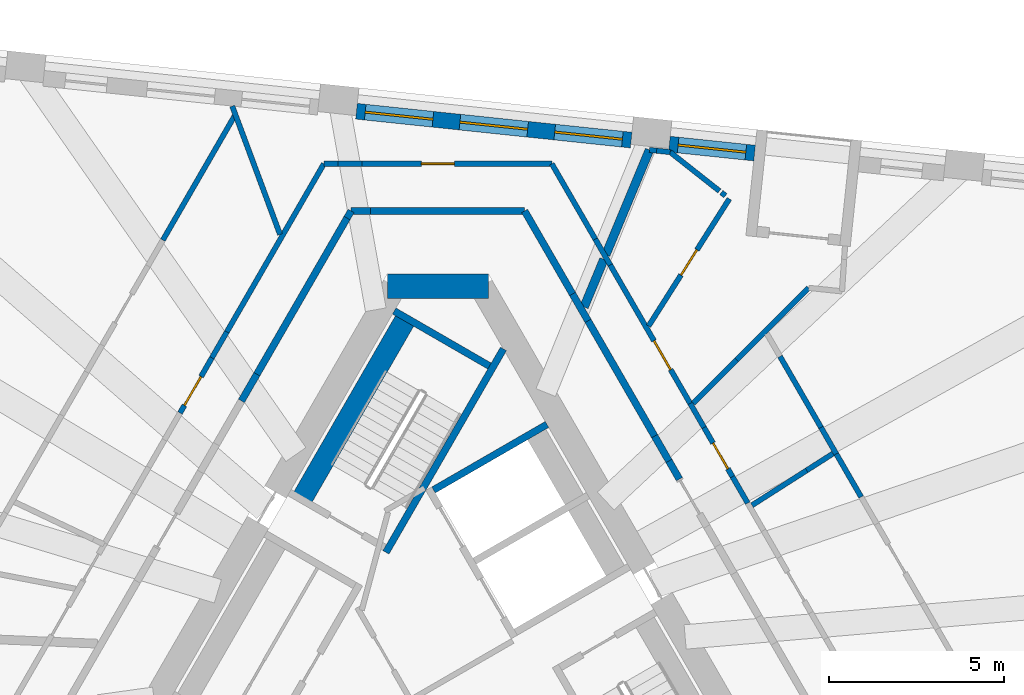
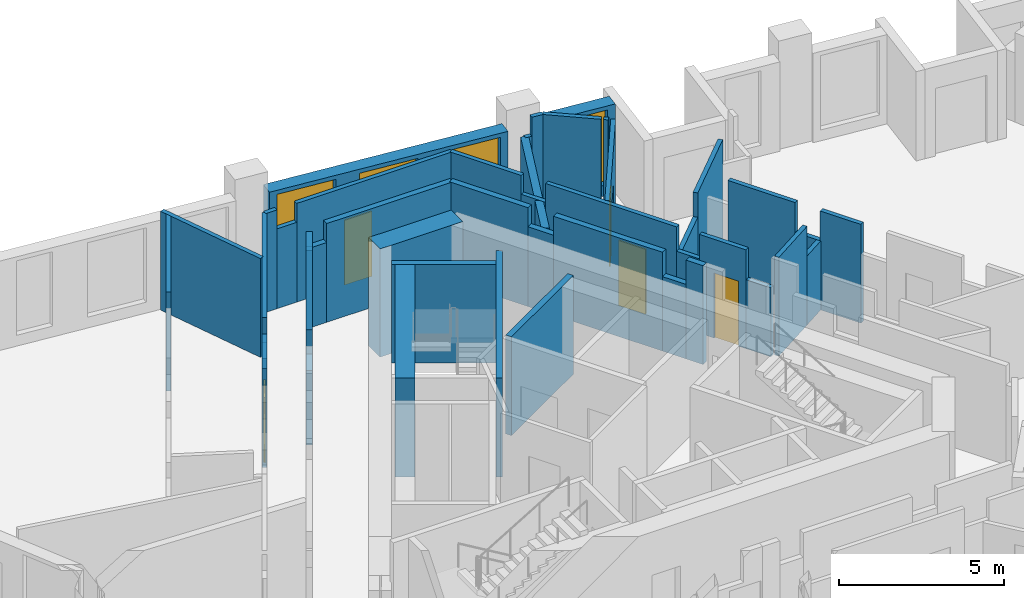
# One storey, part 7 of 11: 45 walls, 5 doors, 4 windows, 9 openings.
"""IFC4 building model written with IfcOpenShell, lengths in metres."""

from ifc_helpers import new_model, si_unit, direction, frame, frame_2d, origin, place, context, subcontext, project, spatial, rectangle, extrude, material, layer, layer_set, type_object, element, fill, save


model = new_model("IFC4")

# Units and contexts
model_context = context("Model", 3, precision=1e-05, world=origin(), true_north=direction((0.0, 1.0)))
body_context = subcontext(model_context, "Body", "Model", "MODEL_VIEW")
ifc_project = project(units=[si_unit("LENGTHUNIT", "METRE"), si_unit("AREAUNIT", "SQUARE_METRE"), si_unit("VOLUMEUNIT", "CUBIC_METRE"), si_unit("PLANEANGLEUNIT", "RADIAN"), si_unit("MASSUNIT", "GRAM", prefix="KILO")], contexts=[model_context])

# Site, building, storey
site_placement = place(None, origin())
site = spatial("IfcSite", under=ifc_project, at=site_placement, CompositionType="ELEMENT")
building_placement = place(site_placement, origin())
building = spatial("IfcBuilding", under=site, at=building_placement, Name="Tramontana Tower", CompositionType="ELEMENT")
storey_placement = place(building_placement, frame((0.0, 0.0, 265.199951171875)))
storey = spatial("IfcBuildingStorey", under=building, at=storey_placement, Name="L62", CompositionType="ELEMENT", Elevation=265.199951171875)

# Walls
ifc_material_1 = material(Name="Concrete 70 MPa", Category="concrete")
ifc_layer_1 = layer(ifc_material_1, 0.699951171875)
ifc_layer_set_1 = layer_set([ifc_layer_1], Name="Core wall 700 70 MPa")
wall_type_1 = type_object("IfcWallType", Name="Core wall 700 70 MPa", PredefinedType="SHEAR", material=ifc_layer_set_1)
wall_1_placement = place(storey_placement, frame((1.443359375, 10.64990234375, 0.0), z_axis=(0.0, 0.0, 1.0), x_axis=(-1.0, 0.0, 0.0)))
element("IfcWall", 1, at=wall_1_placement, inside=storey, type_object=wall_type_1, Name="Core wall C0 L62", PredefinedType="SHEAR", context=body_context, shape_type="SweptSolid", body=[
    extrude(rectangle(XDim=2.88671875, YDim=0.699951171875, at=frame_2d((1.443359375, 0.0))), origin(), (0.0, 0.0, 1.0), 4.0),
])
ifc_material_2 = material(Name="Blockwork", Category="masonry")
ifc_layer_2 = layer(ifc_material_2, 0.199951171875)
ifc_layer_set_2 = layer_set([ifc_layer_2], Name="ENTRY WALL 200")
wall_type_2 = type_object("IfcWallType", Name="ENTRY WALL 200", PredefinedType="SOLIDWALL", material=ifc_layer_set_2)
wall_2_placement = place(storey_placement, frame((-5.622314453125, 7.362060546875, 0.0), z_axis=(0.0, 0.0, 1.0), x_axis=(0.500121072013, 0.86595549154, 0.0)))
element("IfcWall", 2, at=wall_2_placement, inside=storey, type_object=wall_type_2, Name="Wall v62-ew3-9", PredefinedType="SOLIDWALL", context=body_context, shape_type="SweptSolid", body=[
    extrude(rectangle(XDim=0.883544921875, YDim=0.199951171875, at=frame_2d((0.44189453125, 0.0))), origin(), (0.0, 0.0, 1.0), 2.75),
])
wall_3_placement = place(storey_placement, frame((-5.180419921875, 8.127197265625, 0.0), z_axis=(0.0, 0.0, 1.0), x_axis=(0.499995433041, 0.866028040503, 0.0)))
element("IfcWall", 3, at=wall_3_placement, inside=storey, type_object=wall_type_2, Name="Wall v62-ew3-10", PredefinedType="SOLIDWALL", context=body_context, shape_type="SweptSolid", body=[
    extrude(rectangle(XDim=5.1611328125, YDim=0.199951171875, at=frame_2d((2.58056640625, 0.0))), origin(), (0.0, 0.0, 1.0), 3.650146484375),
])
wall_4_placement = place(storey_placement, frame((-2.599853515625, 12.596923828125, 0.0), z_axis=(0.0, 0.0, 1.0), x_axis=(0.49972245349, 0.866185586049, 0.0)))
element("IfcWall", 4, at=wall_4_placement, inside=storey, type_object=wall_type_2, Name="Wall v62-ew3-11", PredefinedType="SOLIDWALL", context=body_context, shape_type="SweptSolid", body=[
    extrude(rectangle(XDim=0.234619140625, YDim=0.199951171875, at=frame_2d((0.1171875, 0.0))), origin(), (0.0, 0.0, 1.0), 2.949951171875),
])
wall_5_placement = place(storey_placement, frame((-2.482666015625, 12.800048828125, 0.0), z_axis=(0.0, 0.0, 1.0), x_axis=(1.0, 0.0, 0.0)))
element("IfcWall", 5, at=wall_5_placement, inside=storey, type_object=wall_type_2, Name="Wall v62-ew4-0", PredefinedType="SOLIDWALL", context=body_context, shape_type="SweptSolid", body=[
    extrude(rectangle(XDim=0.5576171875, YDim=0.199951171875, at=frame_2d((0.27880859375, 0.0))), origin(), (0.0, 0.0, 1.0), 2.949951171875),
])
wall_6_placement = place(storey_placement, frame((-1.925048828125, 12.800048828125, 0.0), z_axis=(0.0, 0.0, 1.0), x_axis=(1.0, 0.0, 0.0)))
element("IfcWall", 6, at=wall_6_placement, inside=storey, type_object=wall_type_2, Name="Wall v62-ew4-1", PredefinedType="SOLIDWALL", context=body_context, shape_type="SweptSolid", body=[
    extrude(rectangle(XDim=4.40771484375, YDim=0.199951171875, at=frame_2d((2.203857421875, 0.0))), origin(), (0.0, 0.0, 1.0), 3.650146484375),
])
wall_7_placement = place(storey_placement, frame((2.482666015625, 12.800048828125, 0.0), z_axis=(0.0, 0.0, 1.0), x_axis=(0.499956000529, -0.8660508054, 0.0)))
element("IfcWall", 7, at=wall_7_placement, inside=storey, type_object=wall_type_2, Name="Wall v62-ew5-0", PredefinedType="SOLIDWALL", context=body_context, shape_type="SweptSolid", body=[
    extrude(rectangle(XDim=2.744873046875, YDim=0.199951171875, at=frame_2d((1.37255859375, 0.0))), origin(), (0.0, 0.0, 1.0), 3.650146484375),
])
wall_8_placement = place(storey_placement, frame((3.85498046875, 10.4228515625, 0.0), z_axis=(0.0, 0.0, 1.0), x_axis=(0.500135429527, -0.86594719939, 0.0)))
element("IfcWall", 8, at=wall_8_placement, inside=storey, type_object=wall_type_2, Name="Wall v62-ew5-1", PredefinedType="SOLIDWALL", context=body_context, shape_type="SweptSolid", body=[
    extrude(rectangle(XDim=0.886962890625, YDim=0.199951171875, at=frame_2d((0.443359375, 0.0))), origin(), (0.0, 0.0, 1.0), 2.949951171875),
])
wall_9_placement = place(storey_placement, frame((4.298583984375, 9.65478515625, 0.0), z_axis=(0.0, 0.0, 1.0), x_axis=(0.499997905474, -0.866026613056, 0.0)))
element("IfcWall", 9, at=wall_9_placement, inside=storey, type_object=wall_type_2, Name="Wall v62-ew5-2", PredefinedType="SOLIDWALL", context=body_context, shape_type="SweptSolid", body=[
    extrude(rectangle(XDim=3.810546875, YDim=0.199951171875, at=frame_2d((1.9052734375, 0.0))), origin(), (0.0, 0.0, 1.0), 3.650146484375),
])
wall_10_placement = place(storey_placement, frame((6.203857421875, 6.354736328125, 0.0), z_axis=(0.0, 0.0, 1.0), x_axis=(0.499911126926, -0.866076708598, 0.0)))
element("IfcWall", 10, at=wall_10_placement, inside=storey, type_object=wall_type_2, Name="Wall v62-ew5-3", PredefinedType="SOLIDWALL", context=body_context, shape_type="SweptSolid", body=[
    extrude(rectangle(XDim=0.821533203125, YDim=0.199951171875, at=frame_2d((0.41064453125, 0.0))), origin(), (0.0, 0.0, 1.0), 2.75),
])
wall_11_placement = place(storey_placement, frame((6.614501953125, 5.643310546875, 0.0), z_axis=(0.0, 0.0, 1.0), x_axis=(0.500169019818, -0.865927798153, 0.0)))
element("IfcWall", 11, at=wall_11_placement, inside=storey, type_object=wall_type_2, Name="Wall v62-ew5-4", PredefinedType="SOLIDWALL", context=body_context, shape_type="SweptSolid", body=[
    extrude(rectangle(XDim=0.599365234375, YDim=0.199951171875, at=frame_2d((0.2998046875, 0.0))), origin(), (0.0, 0.0, 1.0), 3.650146484375),
])

# Wall, opening, window
ifc_material_3 = material(Name="Precast concrete 60 MPa", Category="concrete")
ifc_layer_3 = layer(ifc_material_3, 0.449951171875)
ifc_layer_set_3 = layer_set([ifc_layer_3], Name="Precast concrete 60 MPa, 450 mm")
wall_type_3 = type_object("IfcWallType", Name="EW1 Stone-faced precast wall 450", PredefinedType="SOLIDWALL", material=ifc_layer_set_3)
wall_12_placement = place(storey_placement, frame((9.06640625, 14.45654296875, 0.0), z_axis=(0.0, 0.0, 1.0), x_axis=(-0.994521805438, 0.10452931889, 0.0)))
wall_12 = element("IfcWall", 12, at=wall_12_placement, inside=storey, type_object=wall_type_3, Name="External wall L62 face 2 bay 2", PredefinedType="SOLIDWALL", context=body_context, shape_type="SweptSolid", body=[
    extrude(rectangle(XDim=2.452392578125, YDim=0.449951171875, at=frame_2d((1.22607421875, 0.0))), origin(), (0.0, 0.0, 1.0), 3.300048828125),
])
opening_1_placement = place(wall_12_placement, frame((0.251220703125, 0.0, 0.39990234375)))
opening_1 = element("IfcOpeningElement", 13, at=opening_1_placement, cuts=wall_12, Name="Opening M3", PredefinedType="OPENING", context=body_context, shape_type="SweptSolid", body=[
    extrude(rectangle(XDim=1.949951171875, YDim=2.75, at=frame_2d((0.97509765625, 1.375))), frame((0.0, 0.23486328125, 0.0), z_axis=(0.0, -1.0, 0.0), x_axis=(1.0, 0.0, 0.0)), (0.0, 0.0, 1.0), 0.469970703125),
])
ifc_material_4 = material(Name="Aluminum frame, double glazing unit", Category="aluminium")
window_type = type_object("IfcWindowType", Name="M3 Window 1.95 x 2.75", PartitioningType="SINGLE_PANEL", PredefinedType="WINDOW", material=ifc_material_4)
window_1_placement = place(opening_1_placement, origin())
window_1 = element("IfcWindow", 14, at=window_1_placement, inside=storey, type_object=window_type, Name="Window M3 L62 face 2 module 6", OverallHeight=2.75, OverallWidth=1.949951171875, PartitioningType="SINGLE_PANEL", PredefinedType="WINDOW", context=body_context, shape_type="SweptSolid", body=[
    extrude(rectangle(XDim=1.949951171875, YDim=2.75, at=frame_2d((0.97509765625, 1.375))), frame((0.0, 0.030029296875, 0.0), z_axis=(0.0, -1.0, 0.0), x_axis=(1.0, 0.0, 0.0)), (0.0, 0.0, 1.0), 0.06005859375),
])
fill(opening_1, window_1)

# Wall, openings, windows
wall_13_placement = place(storey_placement, frame((5.53369140625, 14.827880859375, 0.0), z_axis=(0.0, 0.0, 1.0), x_axis=(-0.994522865711, 0.104519230663, 0.0)))
wall_13 = element("IfcWall", 15, at=wall_13_placement, inside=storey, type_object=wall_type_3, Name="External wall L62 face 2 bay 3", PredefinedType="SOLIDWALL", context=body_context, shape_type="SweptSolid", body=[
    extrude(rectangle(XDim=7.90673828125, YDim=0.449951171875, at=frame_2d((3.953369140625, 0.0))), origin(), (0.0, 0.0, 1.0), 3.300048828125),
])
opening_2_placement = place(wall_13_placement, frame((0.251220703125, 0.0, 0.39990234375)))
opening_2 = element("IfcOpeningElement", 16, at=opening_2_placement, cuts=wall_13, Name="Opening M3", PredefinedType="OPENING", context=body_context, shape_type="SweptSolid", body=[
    extrude(rectangle(XDim=1.949951171875, YDim=2.75, at=frame_2d((0.97509765625, 1.375))), frame((0.0, 0.23486328125, 0.0), z_axis=(0.0, -1.0, 0.0), x_axis=(1.0, 0.0, 0.0)), (0.0, 0.0, 1.0), 0.469970703125),
])
opening_3_placement = place(wall_13_placement, frame((2.978271484375, 0.0, 0.39990234375)))
opening_3 = element("IfcOpeningElement", 17, at=opening_3_placement, cuts=wall_13, Name="Opening M3", PredefinedType="OPENING", context=body_context, shape_type="SweptSolid", body=[
    extrude(rectangle(XDim=1.949951171875, YDim=2.75, at=frame_2d((0.97509765625, 1.375))), frame((0.0, 0.23486328125, 0.0), z_axis=(0.0, -1.0, 0.0), x_axis=(1.0, 0.0, 0.0)), (0.0, 0.0, 1.0), 0.469970703125),
])
opening_4_placement = place(wall_13_placement, frame((5.70556640625, 0.0, 0.39990234375)))
opening_4 = element("IfcOpeningElement", 18, at=opening_4_placement, cuts=wall_13, Name="Opening M3", PredefinedType="OPENING", context=body_context, shape_type="SweptSolid", body=[
    extrude(rectangle(XDim=1.949951171875, YDim=2.75, at=frame_2d((0.97509765625, 1.375))), frame((0.0, 0.23486328125, 0.0), z_axis=(0.0, -1.0, 0.0), x_axis=(1.0, 0.0, 0.0)), (0.0, 0.0, 1.0), 0.469970703125),
])
window_2_placement = place(opening_2_placement, origin())
window_2 = element("IfcWindow", 19, at=window_2_placement, inside=storey, type_object=window_type, Name="Window M3 L62 face 2 module 7", OverallHeight=2.75, OverallWidth=1.949951171875, PartitioningType="SINGLE_PANEL", PredefinedType="WINDOW", context=body_context, shape_type="SweptSolid", body=[
    extrude(rectangle(XDim=1.949951171875, YDim=2.75, at=frame_2d((0.97509765625, 1.375))), frame((0.0, 0.030029296875, 0.0), z_axis=(0.0, -1.0, 0.0), x_axis=(1.0, 0.0, 0.0)), (0.0, 0.0, 1.0), 0.06005859375),
])
fill(opening_2, window_2)
window_3_placement = place(opening_3_placement, origin())
window_3 = element("IfcWindow", 20, at=window_3_placement, inside=storey, type_object=window_type, Name="Window M3 L62 face 2 module 8", OverallHeight=2.75, OverallWidth=1.949951171875, PartitioningType="SINGLE_PANEL", PredefinedType="WINDOW", context=body_context, shape_type="SweptSolid", body=[
    extrude(rectangle(XDim=1.949951171875, YDim=2.75, at=frame_2d((0.97509765625, 1.375))), frame((0.0, 0.030029296875, 0.0), z_axis=(0.0, -1.0, 0.0), x_axis=(1.0, 0.0, 0.0)), (0.0, 0.0, 1.0), 0.06005859375),
])
fill(opening_3, window_3)
window_4_placement = place(opening_4_placement, origin())
window_4 = element("IfcWindow", 21, at=window_4_placement, inside=storey, type_object=window_type, Name="Window M3 L62 face 2 module 9", OverallHeight=2.75, OverallWidth=1.949951171875, PartitioningType="SINGLE_PANEL", PredefinedType="WINDOW", context=body_context, shape_type="SweptSolid", body=[
    extrude(rectangle(XDim=1.949951171875, YDim=2.75, at=frame_2d((0.97509765625, 1.375))), frame((0.0, 0.030029296875, 0.0), z_axis=(0.0, -1.0, 0.0), x_axis=(1.0, 0.0, 0.0)), (0.0, 0.0, 1.0), 0.06005859375),
])
fill(opening_4, window_4)

# Wall, opening, door
ifc_material_5 = material(Name="Gypsum board partition")
ifc_layer_4 = layer(ifc_material_5, 0.14990234375)
ifc_layer_set_4 = layer_set([ifc_layer_4], Name="PARTITION 150")
wall_type_4 = type_object("IfcWallType", Name="PARTITION 150", PredefinedType="PARTITIONING", material=ifc_layer_set_4)
wall_14_placement = place(storey_placement, frame((-7.380126953125, 7.017333984375, 0.0), z_axis=(0.0, 0.0, 1.0), x_axis=(0.500012159746, 0.866018383238, 0.0)))
wall_14 = element("IfcWall", 22, at=wall_14_placement, inside=storey, type_object=wall_type_4, Name="Wall v62-pw00-8", PredefinedType="PARTITIONING", context=body_context, shape_type="SweptSolid", body=[
    extrude(rectangle(XDim=1.82373046875, YDim=0.14990234375, at=frame_2d((0.911865234375, 0.0))), origin(), (0.0, 0.0, 1.0), 3.650146484375),
])
opening_5_placement = place(wall_14_placement, frame((0.25, 0.0, 0.0)))
opening_5 = element("IfcOpeningElement", 23, at=opening_5_placement, cuts=wall_14, Name="Opening B6C-01", PredefinedType="OPENING", context=body_context, shape_type="SweptSolid", body=[
    extrude(rectangle(XDim=0.949951171875, YDim=2.39990234375, at=frame_2d((0.47509765625, 1.199951171875))), frame((0.0, 0.0849609375, 0.0), z_axis=(0.0, -1.0, 0.0), x_axis=(1.0, 0.0, 0.0)), (0.0, 0.0, 1.0), 0.169921875),
])
ifc_material_6 = material(Name="Painted timber", Category="wood")
door_type_1 = type_object("IfcDoorType", Name="DOOR ROOM 950", OperationType="SINGLE_SWING_LEFT", PredefinedType="DOOR", material=ifc_material_6)
door_1_placement = place(opening_5_placement, origin())
door_1 = element("IfcDoor", 24, at=door_1_placement, inside=storey, type_object=door_type_1, Name="Door B6C-01", OperationType="SINGLE_SWING_LEFT", OverallHeight=2.39990234375, OverallWidth=0.949951171875, PredefinedType="DOOR", context=body_context, shape_type="SweptSolid", body=[
    extrude(rectangle(XDim=0.949951171875, YDim=2.39990234375, at=frame_2d((0.47509765625, 1.199951171875))), frame((0.0, 0.02490234375, 0.0), z_axis=(0.0, -1.0, 0.0), x_axis=(1.0, 0.0, 0.0)), (0.0, 0.0, 1.0), 0.050048828125),
])
fill(opening_5, door_1)

# Walls
wall_15_placement = place(storey_placement, frame((-6.46826171875, 8.5966796875, 0.0), z_axis=(0.0, 0.0, 1.0), x_axis=(0.500035209441, 0.86600507465, 0.0)))
element("IfcWall", 25, at=wall_15_placement, inside=storey, type_object=wall_type_4, Name="Wall v62-pw00-9", PredefinedType="PARTITIONING", context=body_context, shape_type="SweptSolid", body=[
    extrude(rectangle(XDim=0.85595703125, YDim=0.14990234375, at=frame_2d((0.427978515625, 0.0))), origin(), (0.0, 0.0, 1.0), 2.75),
])
wall_16_placement = place(storey_placement, frame((-6.040283203125, 9.337890625, 0.0), z_axis=(0.0, 0.0, 1.0), x_axis=(0.500014044516, 0.866017295027, 0.0)))
element("IfcWall", 26, at=wall_16_placement, inside=storey, type_object=wall_type_4, Name="Wall v62-pw00-10", PredefinedType="PARTITIONING", context=body_context, shape_type="SweptSolid", body=[
    extrude(rectangle(XDim=5.556396484375, YDim=0.14990234375, at=frame_2d((2.7783203125, 0.0))), origin(), (0.0, 0.0, 1.0), 3.650146484375),
])
wall_17_placement = place(storey_placement, frame((-7.872314453125, 11.96484375, 0.0), z_axis=(0.0, 0.0, 1.0), x_axis=(0.500012835235, 0.866017993231, 0.0)))
element("IfcWall", 27, at=wall_17_placement, inside=storey, type_object=wall_type_4, Name="Wall v62-pw01-8", PredefinedType="PARTITIONING", context=body_context, shape_type="SweptSolid", body=[
    extrude(rectangle(XDim=4.1484375, YDim=0.14990234375, at=frame_2d((2.07421875, 0.0))), origin(), (0.0, 0.0, 1.0), 3.650146484375),
])
wall_18_placement = place(storey_placement, frame((-5.885986328125, 15.8017578125, 0.0), z_axis=(0.0, 0.0, 1.0), x_axis=(0.349035066204, -0.937109664105, 0.0)))
element("IfcWall", 28, at=wall_18_placement, inside=storey, type_object=wall_type_4, Name="Wall v62-pw09", PredefinedType="PARTITIONING", context=body_context, shape_type="SweptSolid", body=[
    extrude(rectangle(XDim=3.921875, YDim=0.14990234375, at=frame_2d((1.9609375, 0.0))), origin(), (0.0, 0.0, 1.0), 3.650146484375),
])
wall_19_placement = place(storey_placement, frame((-3.261962890625, 14.14990234375, 0.0), z_axis=(0.0, 0.0, 1.0), x_axis=(1.0, 0.0, 0.0)))
element("IfcWall", 29, at=wall_19_placement, inside=storey, type_object=wall_type_4, Name="Wall v62-pw10-0", PredefinedType="PARTITIONING", context=body_context, shape_type="SweptSolid", body=[
    extrude(rectangle(XDim=0.398193359375, YDim=0.14990234375, at=frame_2d((0.19921875, 0.0))), origin(), (0.0, 0.0, 1.0), 3.650146484375),
])
wall_20_placement = place(storey_placement, frame((-2.86376953125, 14.14990234375, 0.0), z_axis=(0.0, 0.0, 1.0), x_axis=(1.0, 0.0, 0.0)))
element("IfcWall", 30, at=wall_20_placement, inside=storey, type_object=wall_type_4, Name="Wall v62-pw10-1", PredefinedType="PARTITIONING", context=body_context, shape_type="SweptSolid", body=[
    extrude(rectangle(XDim=0.685546875, YDim=0.14990234375, at=frame_2d((0.3427734375, 0.0))), origin(), (0.0, 0.0, 1.0), 2.949951171875),
])

# Wall, opening, door
wall_21_placement = place(storey_placement, frame((3.261962890625, 14.14990234375, 0.0), z_axis=(0.0, 0.0, 1.0), x_axis=(-1.0, 0.0, 0.0)))
wall_21 = element("IfcWall", 31, at=wall_21_placement, inside=storey, type_object=wall_type_4, Name="Wall v62-pw10-2", PredefinedType="PARTITIONING", context=body_context, shape_type="SweptSolid", body=[
    extrude(rectangle(XDim=5.440185546875, YDim=0.14990234375, at=frame_2d((2.72021484375, 0.0))), origin(), (0.0, 0.0, 1.0), 3.650146484375),
])
opening_6_placement = place(wall_21_placement, frame((2.787109375, 0.0, 0.0)))
opening_6 = element("IfcOpeningElement", 32, at=opening_6_placement, cuts=wall_21, Name="Opening B6C-03", PredefinedType="OPENING", context=body_context, shape_type="SweptSolid", body=[
    extrude(rectangle(XDim=0.949951171875, YDim=2.39990234375, at=frame_2d((0.47509765625, 1.199951171875))), frame((0.0, 0.0849609375, 0.0), z_axis=(0.0, -1.0, 0.0), x_axis=(1.0, 0.0, 0.0)), (0.0, 0.0, 1.0), 0.169921875),
])
door_2_placement = place(opening_6_placement, origin())
door_2 = element("IfcDoor", 33, at=door_2_placement, inside=storey, type_object=door_type_1, Name="Door B6C-03", OperationType="SINGLE_SWING_LEFT", OverallHeight=2.39990234375, OverallWidth=0.949951171875, PredefinedType="DOOR", context=body_context, shape_type="SweptSolid", body=[
    extrude(rectangle(XDim=0.949951171875, YDim=2.39990234375, at=frame_2d((0.47509765625, 1.199951171875))), frame((0.0, 0.02490234375, 0.0), z_axis=(0.0, -1.0, 0.0), x_axis=(1.0, 0.0, 0.0)), (0.0, 0.0, 1.0), 0.050048828125),
])
fill(opening_6, door_2)

# Walls
wall_22_placement = place(storey_placement, frame((3.261962890625, 14.14990234375, 0.0), z_axis=(0.0, 0.0, 1.0), x_axis=(0.500042260233, -0.866001003452, 0.0)))
element("IfcWall", 34, at=wall_22_placement, inside=storey, type_object=wall_type_4, Name="Wall v62-pw15-0", PredefinedType="PARTITIONING", context=body_context, shape_type="SweptSolid", body=[
    extrude(rectangle(XDim=2.489013671875, YDim=0.14990234375, at=frame_2d((1.24462890625, 0.0))), origin(), (0.0, 0.0, 1.0), 3.650146484375),
])
wall_23_placement = place(storey_placement, frame((4.506591796875, 11.994384765625, 0.0), z_axis=(0.0, 0.0, 1.0), x_axis=(0.499944768143, -0.866057289563, 0.0)))
element("IfcWall", 35, at=wall_23_placement, inside=storey, type_object=wall_type_4, Name="Wall v62-pw15-1", PredefinedType="PARTITIONING", context=body_context, shape_type="SweptSolid", body=[
    extrude(rectangle(XDim=0.85546875, YDim=0.14990234375, at=frame_2d((0.427734375, 0.0))), origin(), (0.0, 0.0, 1.0), 2.949951171875),
])

# Wall, opening, door
wall_24_placement = place(storey_placement, frame((4.934326171875, 11.25341796875, 0.0), z_axis=(0.0, 0.0, 1.0), x_axis=(0.500001111708, -0.866024761939, 0.0)))
wall_24 = element("IfcWall", 36, at=wall_24_placement, inside=storey, type_object=wall_type_4, Name="Wall v62-pw15-2", PredefinedType="PARTITIONING", context=body_context, shape_type="SweptSolid", body=[
    extrude(rectangle(XDim=4.57568359375, YDim=0.14990234375, at=frame_2d((2.287841796875, 0.0))), origin(), (0.0, 0.0, 1.0), 3.650146484375),
])
opening_7_placement = place(wall_24_placement, frame((2.507080078125, 0.0, 0.0)))
opening_7 = element("IfcOpeningElement", 37, at=opening_7_placement, cuts=wall_24, Name="Opening B6C-14", PredefinedType="OPENING", context=body_context, shape_type="SweptSolid", body=[
    extrude(rectangle(XDim=0.949951171875, YDim=2.39990234375, at=frame_2d((0.47509765625, 1.199951171875))), frame((0.0, 0.0849609375, 0.0), z_axis=(0.0, -1.0, 0.0), x_axis=(1.0, 0.0, 0.0)), (0.0, 0.0, 1.0), 0.169921875),
])
door_3_placement = place(opening_7_placement, origin())
door_3 = element("IfcDoor", 38, at=door_3_placement, inside=storey, type_object=door_type_1, Name="Door B6C-14", OperationType="SINGLE_SWING_RIGHT", OverallHeight=2.39990234375, OverallWidth=0.949951171875, PredefinedType="DOOR", context=body_context, shape_type="SweptSolid", body=[
    extrude(rectangle(XDim=0.949951171875, YDim=2.39990234375, at=frame_2d((0.47509765625, 1.199951171875))), frame((0.0, 0.02490234375, 0.0), z_axis=(0.0, -1.0, 0.0), x_axis=(1.0, 0.0, 0.0)), (0.0, 0.0, 1.0), 0.050048828125),
])
fill(opening_7, door_3)

# Wall
wall_25_placement = place(storey_placement, frame((7.22216796875, 7.290771484375, 0.0), z_axis=(0.0, 0.0, 1.0), x_axis=(0.500032254052, -0.866006781098, 0.0)))
element("IfcWall", 39, at=wall_25_placement, inside=storey, type_object=wall_type_4, Name="Wall v62-pw15-3", PredefinedType="PARTITIONING", context=body_context, shape_type="SweptSolid", body=[
    extrude(rectangle(XDim=0.7958984375, YDim=0.14990234375, at=frame_2d((0.39794921875, 0.0))), origin(), (0.0, 0.0, 1.0), 2.75),
])

# Wall, opening, door
wall_26_placement = place(storey_placement, frame((7.6201171875, 6.6015625, 0.0), z_axis=(0.0, 0.0, 1.0), x_axis=(0.499982393232, -0.866035568818, 0.0)))
wall_26 = element("IfcWall", 40, at=wall_26_placement, inside=storey, type_object=wall_type_4, Name="Wall v62-pw15-4", PredefinedType="PARTITIONING", context=body_context, shape_type="SweptSolid", body=[
    extrude(rectangle(XDim=1.6259765625, YDim=0.14990234375, at=frame_2d((0.81298828125, 0.0))), origin(), (0.0, 0.0, 1.0), 3.650146484375),
])
opening_8_placement = place(wall_26_placement, frame((0.5146484375, 0.0, 0.0)))
opening_8 = element("IfcOpeningElement", 41, at=opening_8_placement, cuts=wall_26, Name="Opening B6C-12", PredefinedType="OPENING", context=body_context, shape_type="SweptSolid", body=[
    extrude(rectangle(XDim=0.85009765625, YDim=2.39990234375, at=frame_2d((0.425048828125, 1.199951171875))), frame((0.0, 0.0849609375, 0.0), z_axis=(0.0, -1.0, 0.0), x_axis=(1.0, 0.0, 0.0)), (0.0, 0.0, 1.0), 0.169921875),
])
ifc_material_7 = material(Name="Painted timber", Category="wood")
door_type_2 = type_object("IfcDoorType", Name="DOOR BATH 850", OperationType="SINGLE_SWING_LEFT", PredefinedType="DOOR", material=ifc_material_7)
door_4_placement = place(opening_8_placement, origin())
door_4 = element("IfcDoor", 42, at=door_4_placement, inside=storey, type_object=door_type_2, Name="Door B6C-12", OperationType="SINGLE_SWING_RIGHT", OverallHeight=2.39990234375, OverallWidth=0.85009765625, PredefinedType="DOOR", context=body_context, shape_type="SweptSolid", body=[
    extrude(rectangle(XDim=0.85009765625, YDim=2.39990234375, at=frame_2d((0.425048828125, 1.199951171875))), frame((0.0, 0.02490234375, 0.0), z_axis=(0.0, -1.0, 0.0), x_axis=(1.0, 0.0, 0.0)), (0.0, 0.0, 1.0), 0.050048828125),
])
fill(opening_8, door_4)

# Walls
wall_27_placement = place(storey_placement, frame((8.43310546875, 5.193359375, 0.0), z_axis=(0.0, 0.0, 1.0), x_axis=(0.499980071345, -0.866036909293, 0.0)))
element("IfcWall", 43, at=wall_27_placement, inside=storey, type_object=wall_type_4, Name="Wall v62-pw15-5", PredefinedType="PARTITIONING", context=body_context, shape_type="SweptSolid", body=[
    extrude(rectangle(XDim=0.875, YDim=0.14990234375, at=frame_2d((0.4375, 0.0))), origin(), (0.0, 0.0, 1.0), 2.550048828125),
])
wall_28_placement = place(storey_placement, frame((6.650146484375, 14.48388671875, 0.0), z_axis=(0.0, 0.0, 1.0), x_axis=(0.785056780216, -0.61942380632, 0.0)))
element("IfcWall", 44, at=wall_28_placement, inside=storey, type_object=wall_type_4, Name="Wall v62-pw22", PredefinedType="PARTITIONING", context=body_context, shape_type="SweptSolid", body=[
    extrude(rectangle(XDim=1.79541015625, YDim=0.14990234375, at=frame_2d((0.897705078125, 0.0))), origin(), (0.0, 0.0, 1.0), 3.650146484375),
])
wall_29_placement = place(storey_placement, frame((7.3076171875, 7.293212890625, 0.0), z_axis=(0.0, 0.0, 1.0), x_axis=(0.70779886915, 0.706414015171, 0.0)))
element("IfcWall", 45, at=wall_29_placement, inside=storey, type_object=wall_type_4, Name="Wall v62-pw23-0", PredefinedType="PARTITIONING", context=body_context, shape_type="SweptSolid", body=[
    extrude(rectangle(XDim=1.762939453125, YDim=0.14990234375, at=frame_2d((0.88134765625, 0.0))), origin(), (0.0, 0.0, 1.0), 2.75),
])
wall_30_placement = place(storey_placement, frame((8.555419921875, 8.53857421875, 0.0), z_axis=(0.0, 0.0, 1.0), x_axis=(0.707776468702, 0.706436458821, 0.0)))
element("IfcWall", 46, at=wall_30_placement, inside=storey, type_object=wall_type_4, Name="Wall v62-pw23-1", PredefinedType="PARTITIONING", context=body_context, shape_type="SweptSolid", body=[
    extrude(rectangle(XDim=2.9150390625, YDim=0.14990234375, at=frame_2d((1.45751953125, 0.0))), origin(), (0.0, 0.0, 1.0), 3.650146484375),
])
wall_31_placement = place(storey_placement, frame((8.114501953125, 13.32861328125, 0.0), z_axis=(0.0, 0.0, 1.0), x_axis=(0.784713942006, -0.619858071837, 0.0)))
element("IfcWall", 47, at=wall_31_placement, inside=storey, type_object=wall_type_4, Name="Wall v62-pw24", PredefinedType="PARTITIONING", context=body_context, shape_type="SweptSolid", body=[
    extrude(rectangle(XDim=0.148193359375, YDim=0.14990234375, at=frame_2d((0.07421875, 0.0))), origin(), (0.0, 0.0, 1.0), 3.650146484375),
])

# Wall, opening, door
wall_32_placement = place(storey_placement, frame((6.03125, 9.503662109375, 0.0), z_axis=(0.0, 0.0, 1.0), x_axis=(0.535839175218, 0.844320068636, 0.0)))
wall_32 = element("IfcWall", 48, at=wall_32_placement, inside=storey, type_object=wall_type_4, Name="Wall v62-pw25", PredefinedType="PARTITIONING", context=body_context, shape_type="SweptSolid", body=[
    extrude(rectangle(XDim=4.315673828125, YDim=0.14990234375, at=frame_2d((2.15771484375, 0.0))), origin(), (0.0, 0.0, 1.0), 3.650146484375),
])
opening_9_placement = place(wall_32_placement, frame((1.73291015625, 0.0, 0.0)))
opening_9 = element("IfcOpeningElement", 49, at=opening_9_placement, cuts=wall_32, Name="Opening B6C-15", PredefinedType="OPENING", context=body_context, shape_type="SweptSolid", body=[
    extrude(rectangle(XDim=0.85009765625, YDim=2.39990234375, at=frame_2d((0.425048828125, 1.199951171875))), frame((0.0, 0.0849609375, 0.0), z_axis=(0.0, -1.0, 0.0), x_axis=(1.0, 0.0, 0.0)), (0.0, 0.0, 1.0), 0.169921875),
])
door_5_placement = place(opening_9_placement, origin())
door_5 = element("IfcDoor", 50, at=door_5_placement, inside=storey, type_object=door_type_2, Name="Door B6C-15", OperationType="SINGLE_SWING_LEFT", OverallHeight=2.39990234375, OverallWidth=0.85009765625, PredefinedType="DOOR", context=body_context, shape_type="SweptSolid", body=[
    extrude(rectangle(XDim=0.85009765625, YDim=2.39990234375, at=frame_2d((0.425048828125, 1.199951171875))), frame((0.0, 0.02490234375, 0.0), z_axis=(0.0, -1.0, 0.0), x_axis=(1.0, 0.0, 0.0)), (0.0, 0.0, 1.0), 0.050048828125),
])
fill(opening_9, door_5)

# Walls
wall_33_placement = place(storey_placement, frame((8.9921875, 4.375, 0.0), z_axis=(0.0, 0.0, 1.0), x_axis=(0.842891755545, 0.538083161262, 0.0)))
element("IfcWall", 51, at=wall_33_placement, inside=storey, type_object=wall_type_4, Name="Wall v62-pw26-0", PredefinedType="PARTITIONING", context=body_context, shape_type="SweptSolid", body=[
    extrude(rectangle(XDim=1.856689453125, YDim=0.14990234375, at=frame_2d((0.92822265625, 0.0))), origin(), (0.0, 0.0, 1.0), 3.650146484375),
])
wall_34_placement = place(storey_placement, frame((10.55712890625, 5.3740234375, 0.0), z_axis=(0.0, 0.0, 1.0), x_axis=(0.842909065223, 0.538056045189, 0.0)))
element("IfcWall", 52, at=wall_34_placement, inside=storey, type_object=wall_type_4, Name="Wall v62-pw26-1", PredefinedType="PARTITIONING", context=body_context, shape_type="SweptSolid", body=[
    extrude(rectangle(XDim=0.896240234375, YDim=0.14990234375, at=frame_2d((0.4482421875, 0.0))), origin(), (0.0, 0.0, 1.0), 2.550048828125),
])
wall_35_placement = place(storey_placement, frame((9.7939453125, 8.636474609375, 0.0), z_axis=(0.0, 0.0, 1.0), x_axis=(0.499998569178, -0.866026229868, 0.0)))
element("IfcWall", 53, at=wall_35_placement, inside=storey, type_object=wall_type_4, Name="Wall v62-pw27-1", PredefinedType="PARTITIONING", context=body_context, shape_type="SweptSolid", body=[
    extrude(rectangle(XDim=2.34716796875, YDim=0.14990234375, at=frame_2d((1.173583984375, 0.0))), origin(), (0.0, 0.0, 1.0), 3.650146484375),
])
wall_36_placement = place(storey_placement, frame((10.967529296875, 6.603759765625, 0.0), z_axis=(0.0, 0.0, 1.0), x_axis=(0.499859285417, -0.866106630146, 0.0)))
element("IfcWall", 54, at=wall_36_placement, inside=storey, type_object=wall_type_4, Name="Wall v62-pw27-2", PredefinedType="PARTITIONING", context=body_context, shape_type="SweptSolid", body=[
    extrude(rectangle(XDim=0.875244140625, YDim=0.14990234375, at=frame_2d((0.4375, 0.0))), origin(), (0.0, 0.0, 1.0), 2.550048828125),
])
wall_37_placement = place(storey_placement, frame((11.405029296875, 5.845703125, 0.0), z_axis=(0.0, 0.0, 1.0), x_axis=(0.500103350459, -0.865965726146, 0.0)))
element("IfcWall", 55, at=wall_37_placement, inside=storey, type_object=wall_type_4, Name="Wall v62-pw27-3", PredefinedType="PARTITIONING", context=body_context, shape_type="SweptSolid", body=[
    extrude(rectangle(XDim=1.424072265625, YDim=0.14990234375, at=frame_2d((0.7119140625, 0.0))), origin(), (0.0, 0.0, 1.0), 3.650146484375),
])
wall_38_placement = place(storey_placement, frame((6.05712890625, 14.546630859375, 0.0), z_axis=(0.0, 0.0, 1.0), x_axis=(0.994460058529, -0.105115136828, 0.0)))
element("IfcWall", 56, at=wall_38_placement, inside=storey, type_object=wall_type_4, Name="Wall v62-pwc00-0", PredefinedType="PARTITIONING", context=body_context, shape_type="SweptSolid", body=[
    extrude(rectangle(XDim=0.206787109375, YDim=0.14990234375, at=frame_2d((0.103515625, 0.0))), origin(), (0.0, 0.0, 1.0), 2.949951171875),
])
wall_39_placement = place(storey_placement, frame((6.2626953125, 14.52490234375, 0.0), z_axis=(0.0, 0.0, 1.0), x_axis=(0.994443476143, -0.105271899176, 0.0)))
element("IfcWall", 57, at=wall_39_placement, inside=storey, type_object=wall_type_4, Name="Wall v62-pwc00-1", PredefinedType="PARTITIONING", context=body_context, shape_type="SweptSolid", body=[
    extrude(rectangle(XDim=0.3896484375, YDim=0.14990234375, at=frame_2d((0.19482421875, 0.0))), origin(), (0.0, 0.0, 1.0), 3.650146484375),
])
ifc_material_8 = material(Name="Blockwork", Category="masonry")
ifc_layer_5 = layer(ifc_material_8, 0.25)
ifc_layer_set_5 = layer_set([ifc_layer_5], Name="PARTY WALL 250")
wall_type_5 = type_object("IfcWallType", Name="PARTY WALL 250", PredefinedType="SOLIDWALL", material=ifc_layer_set_5)
wall_40_placement = place(storey_placement, frame((4.753662109375, 11.41650390625, 0.0), z_axis=(0.0, 0.0, 1.0), x_axis=(-0.384416136092, -0.92315991806, 0.0)))
element("IfcWall", 58, at=wall_40_placement, inside=storey, type_object=wall_type_5, Name="Wall v62-pw20-0", PredefinedType="SOLIDWALL", context=body_context, shape_type="SweptSolid", body=[
    extrude(rectangle(XDim=1.479248046875, YDim=0.25, at=frame_2d((0.73974609375, 0.0))), origin(), (0.0, 0.0, 1.0), 2.949951171875),
])
wall_41_placement = place(storey_placement, frame((6.05712890625, 14.546630859375, 0.0), z_axis=(0.0, 0.0, 1.0), x_axis=(-0.384428778099, -0.923154653657, 0.0)))
element("IfcWall", 59, at=wall_41_placement, inside=storey, type_object=wall_type_5, Name="Wall v62-pw21-0", PredefinedType="SOLIDWALL", context=body_context, shape_type="SweptSolid", body=[
    extrude(rectangle(XDim=3.25146484375, YDim=0.25, at=frame_2d((1.625732421875, 0.0))), origin(), (0.0, 0.0, 1.0), 2.949951171875),
])
ifc_material_9 = material(Name="Concrete 70 MPa", Category="concrete")
ifc_layer_6 = layer(ifc_material_9, 0.60009765625)
ifc_layer_set_6 = layer_set([ifc_layer_6], Name="Concrete 70 MPa, 600 mm")
wall_type_6 = type_object("IfcWallType", Name="RC SHAFT BACK WALL 600", PredefinedType="SOLIDWALL", material=ifc_layer_set_6)
wall_42_placement = place(storey_placement, frame((-0.85302734375, 9.822509765625, 0.0), z_axis=(0.0, 0.0, 1.0), x_axis=(-0.500009909098, -0.866019682689, 0.0)))
element("IfcWall", 60, at=wall_42_placement, inside=storey, type_object=wall_type_6, Name="Wall st1-back", PredefinedType="SOLIDWALL", context=body_context, shape_type="SweptSolid", body=[
    extrude(rectangle(XDim=6.199951171875, YDim=0.60009765625, at=frame_2d((3.10009765625, 0.0))), origin(), (0.0, 0.0, 1.0), 3.650146484375),
])
ifc_material_10 = material(Name="Concrete 70 MPa", Category="concrete")
ifc_layer_7 = layer(ifc_material_10, 0.199951171875)
ifc_layer_set_7 = layer_set([ifc_layer_7], Name="Concrete 70 MPa, 200 mm")
wall_type_7 = type_object("IfcWallType", Name="RC STAIR AND SHAFT WALL 200", PredefinedType="SOLIDWALL", material=ifc_layer_set_7)
wall_43_placement = place(storey_placement, frame((1.87646484375, 8.85009765625, 0.0), z_axis=(0.0, 0.0, 1.0), x_axis=(-0.499998042495, -0.866026533947, 0.0)))
element("IfcWall", 61, at=wall_43_placement, inside=storey, type_object=wall_type_7, Name="Wall st1-front", PredefinedType="SOLIDWALL", context=body_context, shape_type="SweptSolid", body=[
    extrude(rectangle(XDim=6.72265625, YDim=0.199951171875, at=frame_2d((3.361328125, 0.0))), origin(), (0.0, 0.0, 1.0), 3.650146484375),
])
wall_44_placement = place(storey_placement, frame((1.478515625, 8.36083984375, 0.0), z_axis=(0.0, 0.0, 1.0), x_axis=(-0.866035871367, 0.499981869177, 0.0)))
element("IfcWall", 62, at=wall_44_placement, inside=storey, type_object=wall_type_7, Name="Wall st1-far", PredefinedType="SOLIDWALL", context=body_context, shape_type="SweptSolid", body=[
    extrude(rectangle(XDim=3.14990234375, YDim=0.199951171875, at=frame_2d((1.574951171875, 0.0))), origin(), (0.0, 0.0, 1.0), 3.650146484375),
])
wall_45_placement = place(storey_placement, frame((-0.123046875, 4.813232421875, 0.0), z_axis=(0.0, 0.0, 1.0), x_axis=(0.866022959057, 0.500004234368, 0.0)))
element("IfcWall", 63, at=wall_45_placement, inside=storey, type_object=wall_type_7, Name="Wall row2-side2", PredefinedType="SOLIDWALL", context=body_context, shape_type="SweptSolid", body=[
    extrude(rectangle(XDim=3.75, YDim=0.199951171875, at=frame_2d((1.875, 0.0))), origin(), (0.0, 0.0, 1.0), 3.650146484375),
])

save(model, "model.ifc")
